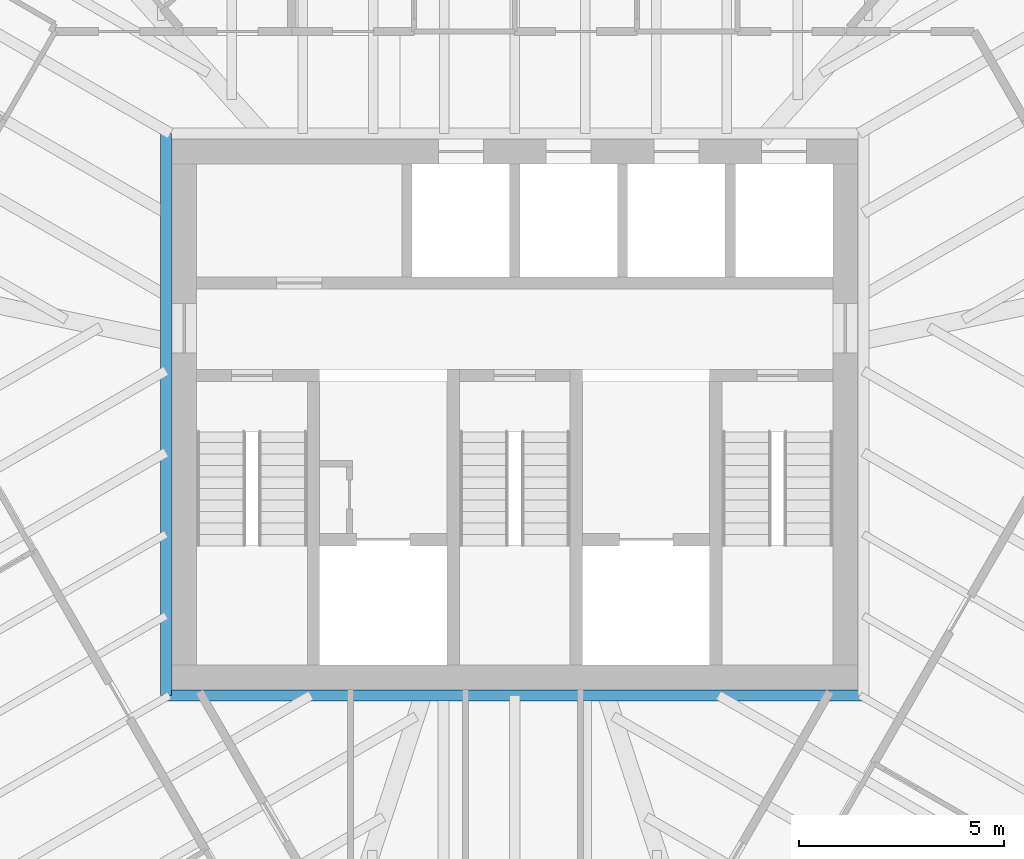
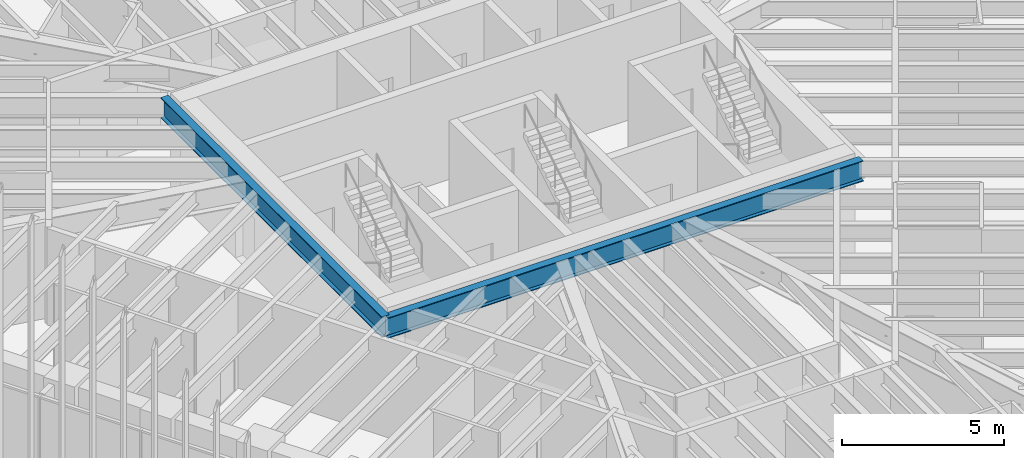
# One storey, part 29 of 127: 2 beams.
"""IFC4 building model written with IfcOpenShell, lengths in metres."""

from ifc_helpers import new_model, si_unit, direction, frame, origin, origin_2d, place, context, subcontext, project, spatial, i_section, extrude, material, material_profile, profile_set, type_object, element, save


model = new_model("IFC4")

# Units and contexts
model_context = context("Model", 3, precision=1e-05, world=origin(), true_north=direction((0.0, 1.0)))
body_context = subcontext(model_context, "Body", "Model", "MODEL_VIEW")
ifc_project = project(units=[si_unit("LENGTHUNIT", "METRE"), si_unit("AREAUNIT", "SQUARE_METRE"), si_unit("VOLUMEUNIT", "CUBIC_METRE"), si_unit("PLANEANGLEUNIT", "RADIAN"), si_unit("MASSUNIT", "GRAM", prefix="KILO")], contexts=[model_context])

# Site, building, storey
site_placement = place(None, origin())
site = spatial("IfcSite", under=ifc_project, at=site_placement, CompositionType="ELEMENT")
building_placement = place(site_placement, origin())
building = spatial("IfcBuilding", under=site, at=building_placement, Name="Sandreach Pilgrim Tower", CompositionType="ELEMENT")
storey_placement = place(building_placement, frame((0.0, 0.0, 257.0)))
storey = spatial("IfcBuildingStorey", under=building, at=storey_placement, Name="L64", CompositionType="ELEMENT", Elevation=257.0)

# Beams
ifc_material = material(Name="Steel ASTM A992 Grade 50", Category="steel")
ifc_material_profile = material_profile(ifc_material, i_section(OverallWidth=0.2666015625, OverallDepth=0.77978515625, WebThickness=0.0166015625, FlangeThickness=0.030029296875, at=origin_2d()), Name="W30X148")
ifc_profile_set = profile_set([ifc_material_profile], Name="Steel ASTM A992 Grade 50")
beam_type = type_object("IfcBeamType", Name="Core edge beam W30X148", PredefinedType="BEAM", material=ifc_profile_set)
beam_1_placement = place(storey_placement, frame((8.493408203125, -6.84326171875, 3.25), z_axis=(-1.0, 0.0, 0.0), x_axis=(0.0, -1.0, 0.0)))
element("IfcBeam", 1, at=beam_1_placement, inside=storey, type_object=beam_type, Name="BM L64 CES", PredefinedType="BEAM", context=body_context, shape_type="SweptSolid", body=[
    extrude(i_section(OverallWidth=0.2666015625, OverallDepth=0.77978515625, WebThickness=0.0166015625, FlangeThickness=0.030029296875, at=origin_2d()), origin(), (0.0, 0.0, 1.0), 16.98681640625),
])
beam_2_placement = place(storey_placement, frame((-8.493408203125, -6.84326171875, 3.25), z_axis=(0.0, 1.0, 0.0), x_axis=(-1.0, 0.0, 0.0)))
element("IfcBeam", 2, at=beam_2_placement, inside=storey, type_object=beam_type, Name="BM L64 CEW", PredefinedType="BEAM", context=body_context, shape_type="SweptSolid", body=[
    extrude(i_section(OverallWidth=0.2666015625, OverallDepth=0.77978515625, WebThickness=0.0166015625, FlangeThickness=0.030029296875, at=origin_2d()), origin(), (0.0, 0.0, 1.0), 13.6865234375),
])

save(model, "model.ifc")
